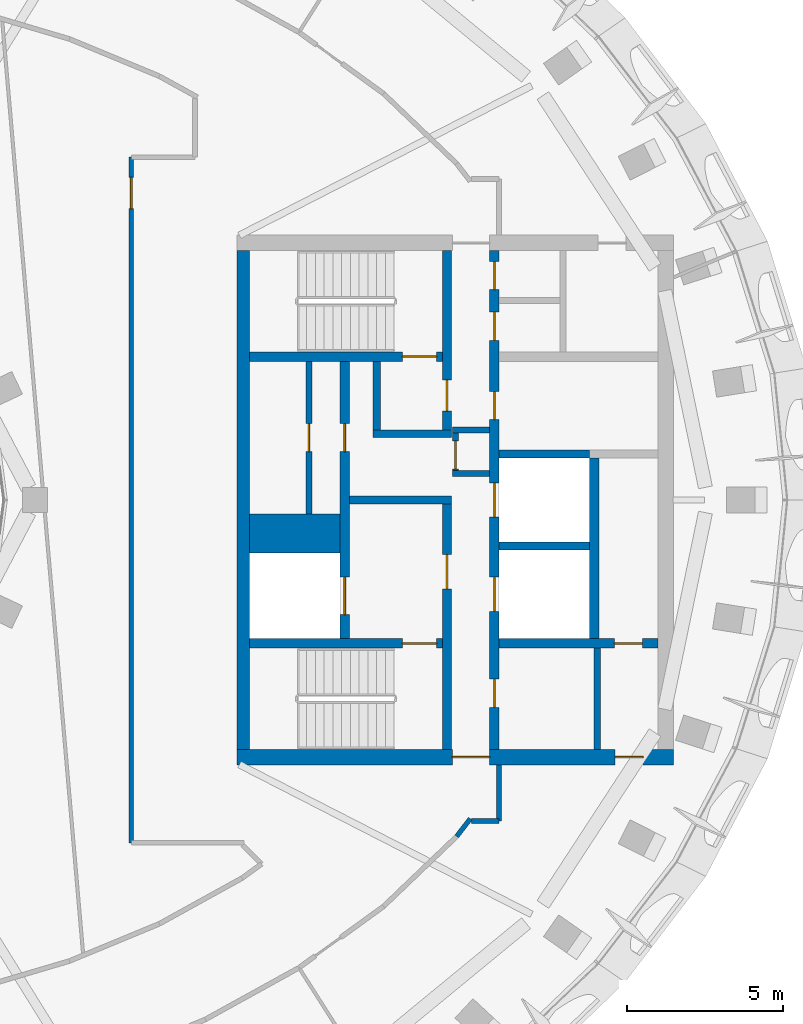
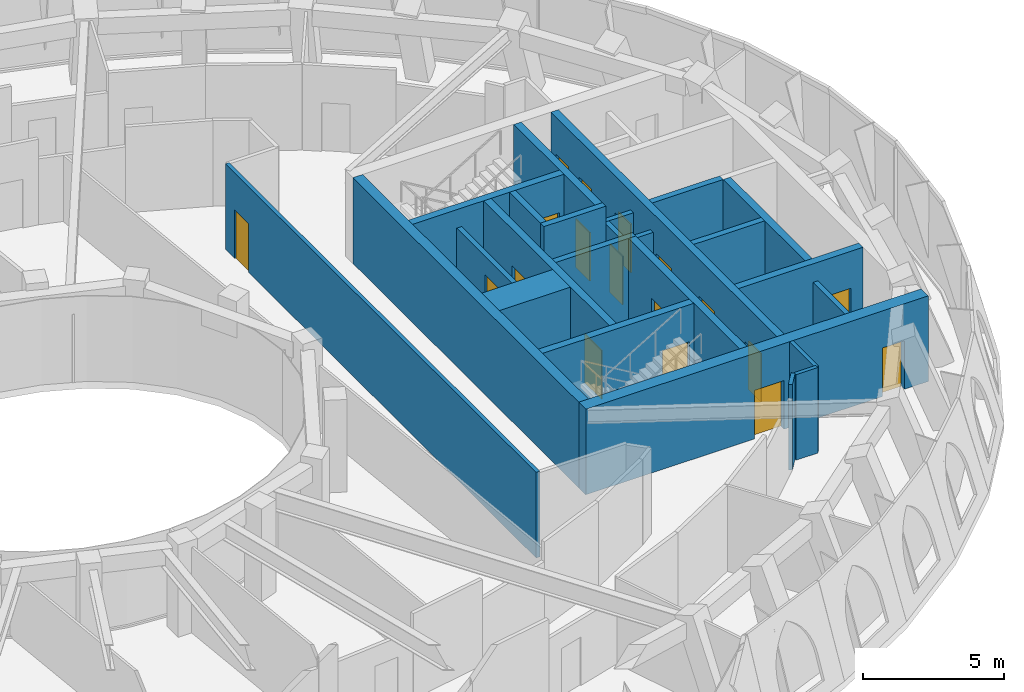
# One storey, part 5 of 14: 25 walls, 18 doors, 18 openings.
"""IFC4 building model written with IfcOpenShell, lengths in metres."""

from ifc_helpers import new_model, si_unit, direction, frame, frame_2d, origin, place, context, subcontext, project, spatial, rectangle, extrude, material, layer, layer_set, type_object, element, fill, save


model = new_model("IFC4")

# Units and contexts
model_context = context("Model", 3, precision=1e-05, world=origin(), true_north=direction((0.0, 1.0)))
body_context = subcontext(model_context, "Body", "Model", "MODEL_VIEW")
ifc_project = project(units=[si_unit("LENGTHUNIT", "METRE"), si_unit("AREAUNIT", "SQUARE_METRE"), si_unit("VOLUMEUNIT", "CUBIC_METRE"), si_unit("PLANEANGLEUNIT", "RADIAN"), si_unit("MASSUNIT", "GRAM", prefix="KILO")], contexts=[model_context])

# Site, building, storey
site_placement = place(None, origin())
site = spatial("IfcSite", under=ifc_project, at=site_placement, CompositionType="ELEMENT")
building_placement = place(site_placement, origin())
building = spatial("IfcBuilding", under=site, at=building_placement, Name="Noorbagh Ring Tower", CompositionType="ELEMENT")
storey_placement = place(building_placement, frame((0.0, 0.0, 339.0)))
storey = spatial("IfcBuildingStorey", under=building, at=storey_placement, Name="L74", CompositionType="ELEMENT", Elevation=339.0)

# Wall, opening, door
ifc_material_1 = material(Name="Gypsum board on steel studs", Category="steel")
ifc_layer_1 = layer(ifc_material_1, 0.199951171875)
ifc_layer_set_1 = layer_set([ifc_layer_1], Name="Gypsum board on steel studs")
wall_type_1 = type_object("IfcWallType", Name="CORE-PARTITION-200", PredefinedType="PARTITIONING", material=ifc_layer_set_1)
wall_1_placement = place(storey_placement, frame((18.800048828125, -0.449951171875, 0.0), z_axis=(0.0, 0.0, 1.0), x_axis=(0.0, 1.0, 0.0)))
wall_1 = element("IfcWall", 1, at=wall_1_placement, inside=storey, type_object=wall_type_1, Name="Core partition E", PredefinedType="PARTITIONING", context=body_context, shape_type="SweptSolid", body=[
    extrude(rectangle(XDim=4.89990234375, YDim=0.199951171875, at=frame_2d((2.449951171875, 0.0))), origin(), (0.0, 0.0, 1.0), 2.89990234375),
])
opening_1_placement = place(wall_1_placement, frame((2.0, 0.0, 0.0)))
opening_1 = element("IfcOpeningElement", 2, at=opening_1_placement, cuts=wall_1, Name="Opening L74-CE11", PredefinedType="OPENING", context=body_context, shape_type="SweptSolid", body=[
    extrude(rectangle(XDim=0.89990234375, YDim=2.10009765625, at=frame_2d((0.449951171875, 1.050048828125))), frame((0.0, 0.10986328125, 0.0), z_axis=(0.0, -1.0, 0.0), x_axis=(1.0, 0.0, 0.0)), (0.0, 0.0, 1.0), 0.219970703125),
])
ifc_material_2 = material(Name="Steel door leaf", Category="steel")
door_type_1 = type_object("IfcDoorType", Name="CORE-DOOR-DROOM", OperationType="SINGLE_SWING_LEFT", PredefinedType="DOOR", material=ifc_material_2)
door_1_placement = place(opening_1_placement, origin())
door_1 = element("IfcDoor", 3, at=door_1_placement, inside=storey, type_object=door_type_1, Name="Core room door L74-CE11", OperationType="SINGLE_SWING_RIGHT", OverallHeight=2.10009765625, OverallWidth=0.89990234375, PredefinedType="DOOR", context=body_context, shape_type="SweptSolid", body=[
    extrude(rectangle(XDim=0.89990234375, YDim=2.10009765625, at=frame_2d((0.449951171875, 1.050048828125))), frame((0.0, 0.02490234375, 0.0), z_axis=(0.0, -1.0, 0.0), x_axis=(1.0, 0.0, 0.0)), (0.0, 0.0, 1.0), 0.050048828125),
])
fill(opening_1, door_1)

# Walls
for number, where, z_axis, x_axis, name in (
    (4, (23.39990234375, 0.85009765625, 0.0), (0.0, 0.0, 1.0), (1.0, 0.0, 0.0), "Core partition E"),
    (5, (23.39990234375, 2.25, 0.0), (0.0, 0.0, 1.0), (1.0, 0.0, 0.0), "Core partition E"),
):
    element("IfcWall", number, at=place(storey_placement, frame(where, z_axis=z_axis, x_axis=x_axis)), inside=storey, type_object=wall_type_1, Name=name, PredefinedType="PARTITIONING", context=body_context, shape_type="SweptSolid", body=[
        extrude(rectangle(XDim=1.2001953125, YDim=0.199951171875, at=frame_2d((0.60009765625, 0.0))), origin(), (0.0, 0.0, 1.0), 2.89990234375),
    ])

# Wall, opening, door
wall_2_placement = place(storey_placement, frame((23.5, 0.75, 0.0), z_axis=(0.0, 0.0, 1.0), x_axis=(0.0, 1.0, 0.0)))
wall_2 = element("IfcWall", 6, at=wall_2_placement, inside=storey, type_object=wall_type_1, Name="Core partition E", PredefinedType="PARTITIONING", context=body_context, shape_type="SweptSolid", body=[
    extrude(rectangle(XDim=1.60009765625, YDim=0.199951171875, at=frame_2d((0.800048828125, 0.0))), origin(), (0.0, 0.0, 1.0), 2.89990234375),
])
opening_2_placement = place(wall_2_placement, frame((0.25, 0.0, 0.0)))
opening_2 = element("IfcOpeningElement", 7, at=opening_2_placement, cuts=wall_2, Name="Opening L74-CE18", PredefinedType="OPENING", context=body_context, shape_type="SweptSolid", body=[
    extrude(rectangle(XDim=0.89990234375, YDim=2.10009765625, at=frame_2d((0.449951171875, 1.050048828125))), frame((0.0, 0.10986328125, 0.0), z_axis=(0.0, -1.0, 0.0), x_axis=(1.0, 0.0, 0.0)), (0.0, 0.0, 1.0), 0.219970703125),
])
door_2_placement = place(opening_2_placement, origin())
door_2 = element("IfcDoor", 8, at=door_2_placement, inside=storey, type_object=door_type_1, Name="Core room door L74-CE18", OperationType="SINGLE_SWING_LEFT", OverallHeight=2.10009765625, OverallWidth=0.89990234375, PredefinedType="DOOR", context=body_context, shape_type="SweptSolid", body=[
    extrude(rectangle(XDim=0.89990234375, YDim=2.10009765625, at=frame_2d((0.449951171875, 1.050048828125))), frame((0.0, 0.02490234375, 0.0), z_axis=(0.0, -1.0, 0.0), x_axis=(1.0, 0.0, 0.0)), (0.0, 0.0, 1.0), 0.050048828125),
])
fill(opening_2, door_2)

# Walls
wall_3_placement = place(storey_placement, frame((28.050048828125, -8.0, 0.0), z_axis=(0.0, 0.0, 1.0), x_axis=(0.0, 1.0, 0.0)))
element("IfcWall", 9, at=wall_3_placement, inside=storey, type_object=wall_type_1, Name="Core partition E", PredefinedType="PARTITIONING", context=body_context, shape_type="SweptSolid", body=[
    extrude(rectangle(XDim=3.25, YDim=0.199951171875, at=frame_2d((1.625, 0.0))), origin(), (0.0, 0.0, 1.0), 2.89990234375),
])
ifc_material_3 = material(Name="Concrete C50/60", Category="concrete")
ifc_layer_2 = layer(ifc_material_3, 1.25)
ifc_layer_set_2 = layer_set([ifc_layer_2], Name="Concrete C50/60")
wall_type_2 = type_object("IfcWallType", Name="CORE-WALL-1250-C50-60-EI120", PredefinedType="SHEAR", material=ifc_layer_set_2)
wall_4_placement = place(storey_placement, frame((16.89990234375, -1.074951171875, 0.0), z_axis=(0.0, 0.0, 1.0), x_axis=(1.0, 0.0, 0.0)))
element("IfcWall", 10, at=wall_4_placement, inside=storey, type_object=wall_type_2, Name="Core wall E", PredefinedType="SHEAR", context=body_context, shape_type="SweptSolid", body=[
    extrude(rectangle(XDim=2.900146484375, YDim=1.25, at=frame_2d((1.4501953125, 0.0))), origin(), (0.0, 0.0, 1.0), 3.699951171875),
])
ifc_material_4 = material(Name="Concrete C50/60", Category="concrete")
ifc_layer_3 = layer(ifc_material_4, 0.25)
ifc_layer_set_3 = layer_set([ifc_layer_3], Name="Concrete C50/60")
wall_type_3 = type_object("IfcWallType", Name="CORE-WALL-250-C50-60-EI120", PredefinedType="SHEAR", material=ifc_layer_set_3)
for number, where, z_axis, x_axis, name in (
    (11, (24.89990234375, -1.47509765625, 0.0), (0.0, 0.0, 1.0), (1.0, 0.0, 0.0), "Core wall E"),
    (12, (24.89990234375, 1.47509765625, 0.0), (0.0, 0.0, 1.0), (1.0, 0.0, 0.0), "Core wall E"),
):
    element("IfcWall", number, at=place(storey_placement, frame(where, z_axis=z_axis, x_axis=x_axis)), inside=storey, type_object=wall_type_3, Name=name, PredefinedType="SHEAR", context=body_context, shape_type="SweptSolid", body=[
        extrude(rectangle(XDim=2.900146484375, YDim=0.25, at=frame_2d((1.4501953125, 0.0))), origin(), (0.0, 0.0, 1.0), 3.699951171875),
    ])
ifc_material_5 = material(Name="Concrete C50/60", Category="concrete")
ifc_layer_4 = layer(ifc_material_5, 0.25)
ifc_layer_set_4 = layer_set([ifc_layer_4], Name="Concrete C50/60")
wall_type_4 = type_object("IfcWallType", Name="CORE-WALL-250-C50-60-EI240", PredefinedType="SHEAR", material=ifc_layer_set_4)
wall_5_placement = place(storey_placement, frame((20.10009765625, 0.0, 0.0), z_axis=(0.0, 0.0, 1.0), x_axis=(1.0, 0.0, 0.0)))
element("IfcWall", 13, at=wall_5_placement, inside=storey, type_object=wall_type_4, Name="Core wall E", PredefinedType="SHEAR", context=body_context, shape_type="SweptSolid", body=[
    extrude(rectangle(XDim=3.27978515625, YDim=0.25, at=frame_2d((1.639892578125, 0.0))), origin(), (0.0, 0.0, 1.0), 3.699951171875),
])
wall_6_placement = place(storey_placement, frame((20.85009765625, 2.125, 0.0), z_axis=(0.0, 0.0, 1.0), x_axis=(1.0, 0.0, 0.0)))
element("IfcWall", 14, at=wall_6_placement, inside=storey, type_object=wall_type_4, Name="Core wall E", PredefinedType="SHEAR", context=body_context, shape_type="SweptSolid", body=[
    extrude(rectangle(XDim=2.52978515625, YDim=0.25, at=frame_2d((1.264892578125, 0.0))), origin(), (0.0, 0.0, 1.0), 3.699951171875),
])
wall_7_placement = place(storey_placement, frame((20.97509765625, 2.25, 0.0), z_axis=(0.0, 0.0, 1.0), x_axis=(0.0, 1.0, 0.0)))
element("IfcWall", 15, at=wall_7_placement, inside=storey, type_object=wall_type_4, Name="Core wall E", PredefinedType="SHEAR", context=body_context, shape_type="SweptSolid", body=[
    extrude(rectangle(XDim=2.199951171875, YDim=0.25, at=frame_2d((1.10009765625, 0.0))), origin(), (0.0, 0.0, 1.0), 3.699951171875),
])
ifc_material_6 = material(Name="Concrete C50/60", Category="concrete")
ifc_layer_5 = layer(ifc_material_6, 0.300048828125)
ifc_layer_set_5 = layer_set([ifc_layer_5], Name="Concrete C50/60")
wall_type_5 = type_object("IfcWallType", Name="CORE-WALL-300-C50-60-EI120", PredefinedType="SHEAR", material=ifc_layer_set_5)
wall_8_placement = place(storey_placement, frame((27.949951171875, -4.449951171875, 0.0), z_axis=(0.0, 0.0, 1.0), x_axis=(0.0, 1.0, 0.0)))
element("IfcWall", 16, at=wall_8_placement, inside=storey, type_object=wall_type_5, Name="Core wall E", PredefinedType="SHEAR", context=body_context, shape_type="SweptSolid", body=[
    extrude(rectangle(XDim=5.800048828125, YDim=0.300048828125, at=frame_2d((2.89990234375, 0.0))), origin(), (0.0, 0.0, 1.0), 3.699951171875),
])

# Wall, openings, doors
wall_9_placement = place(storey_placement, frame((19.949951171875, -4.449951171875, 0.0), z_axis=(0.0, 0.0, 1.0), x_axis=(0.0, 1.0, 0.0)))
wall_9 = element("IfcWall", 17, at=wall_9_placement, inside=storey, type_object=wall_type_5, Name="Core wall E", PredefinedType="SHEAR", context=body_context, shape_type="SweptSolid", body=[
    extrude(rectangle(XDim=8.89990234375, YDim=0.300048828125, at=frame_2d((4.449951171875, 0.0))), origin(), (0.0, 0.0, 1.0), 3.699951171875),
])
opening_3_placement = place(wall_9_placement, frame((0.77490234375, 0.0, 0.0)))
opening_3 = element("IfcOpeningElement", 18, at=opening_3_placement, cuts=wall_9, Name="Opening L74-CE01", PredefinedType="OPENING", context=body_context, shape_type="SweptSolid", body=[
    extrude(rectangle(XDim=1.199951171875, YDim=2.10009765625, at=frame_2d((0.60009765625, 1.050048828125))), frame((0.0, 0.16015625, 0.0), z_axis=(0.0, -1.0, 0.0), x_axis=(1.0, 0.0, 0.0)), (0.0, 0.0, 1.0), 0.320068359375),
])
opening_4_placement = place(wall_9_placement, frame((6.0, 0.0, 0.0)))
opening_4 = element("IfcOpeningElement", 19, at=opening_4_placement, cuts=wall_9, Name="Opening L74-CE10", PredefinedType="OPENING", context=body_context, shape_type="SweptSolid", body=[
    extrude(rectangle(XDim=0.89990234375, YDim=2.10009765625, at=frame_2d((0.449951171875, 1.050048828125))), frame((0.0, 0.16015625, 0.0), z_axis=(0.0, -1.0, 0.0), x_axis=(1.0, 0.0, 0.0)), (0.0, 0.0, 1.0), 0.320068359375),
])
door_3_placement = place(opening_4_placement, origin())
door_3 = element("IfcDoor", 20, at=door_3_placement, inside=storey, type_object=door_type_1, Name="Core room door L74-CE10", OperationType="SINGLE_SWING_RIGHT", OverallHeight=2.10009765625, OverallWidth=0.89990234375, PredefinedType="DOOR", context=body_context, shape_type="SweptSolid", body=[
    extrude(rectangle(XDim=0.89990234375, YDim=2.10009765625, at=frame_2d((0.449951171875, 1.050048828125))), frame((0.0, 0.02490234375, 0.0), z_axis=(0.0, -1.0, 0.0), x_axis=(1.0, 0.0, 0.0)), (0.0, 0.0, 1.0), 0.050048828125),
])
fill(opening_4, door_3)
ifc_material_7 = material(Name="Steel door leaf", Category="steel")
door_type_2 = type_object("IfcDoorType", Name="CORE-DOOR-LDW", OperationType="DOUBLE_DOOR_SLIDING", PredefinedType="DOOR", material=ifc_material_7)
door_4_placement = place(opening_3_placement, origin())
door_4 = element("IfcDoor", 21, at=door_4_placement, inside=storey, type_object=door_type_2, Name="Landing door FF2 L74-CE01", OperationType="DOUBLE_DOOR_SLIDING", OverallHeight=2.10009765625, OverallWidth=1.199951171875, PredefinedType="DOOR", context=body_context, shape_type="SweptSolid", body=[
    extrude(rectangle(XDim=1.199951171875, YDim=2.10009765625, at=frame_2d((0.60009765625, 1.050048828125))), frame((0.0, 0.02490234375, 0.0), z_axis=(0.0, -1.0, 0.0), x_axis=(1.0, 0.0, 0.0)), (0.0, 0.0, 1.0), 0.050048828125),
])
fill(opening_3, door_4)

wall_10_placement = place(storey_placement, frame((24.75, -8.0, 0.0), z_axis=(0.0, 0.0, 1.0), x_axis=(0.0, 1.0, 0.0)))
wall_10 = element("IfcWall", 22, at=wall_10_placement, inside=storey, type_object=wall_type_5, Name="Core wall E", PredefinedType="SHEAR", context=body_context, shape_type="SweptSolid", body=[
    extrude(rectangle(XDim=16.0, YDim=0.300048828125, at=frame_2d((8.0, 0.0))), origin(), (0.0, 0.0, 1.0), 3.699951171875),
])
opening_5_placement = place(wall_10_placement, frame((4.425048828125, 0.0, 0.0)))
opening_5 = element("IfcOpeningElement", 23, at=opening_5_placement, cuts=wall_10, Name="Opening L74-CE02", PredefinedType="OPENING", context=body_context, shape_type="SweptSolid", body=[
    extrude(rectangle(XDim=1.10009765625, YDim=2.10009765625, at=frame_2d((0.550048828125, 1.050048828125))), frame((0.0, 0.16015625, 0.0), z_axis=(0.0, -1.0, 0.0), x_axis=(1.0, 0.0, 0.0)), (0.0, 0.0, 1.0), 0.320068359375),
])
opening_6_placement = place(wall_10_placement, frame((7.449951171875, 0.0, 0.0)))
opening_6 = element("IfcOpeningElement", 24, at=opening_6_placement, cuts=wall_10, Name="Opening L74-CE03", PredefinedType="OPENING", context=body_context, shape_type="SweptSolid", body=[
    extrude(rectangle(XDim=1.10009765625, YDim=2.10009765625, at=frame_2d((0.550048828125, 1.050048828125))), frame((0.0, 0.16015625, 0.0), z_axis=(0.0, -1.0, 0.0), x_axis=(1.0, 0.0, 0.0)), (0.0, 0.0, 1.0), 0.320068359375),
])
opening_7_placement = place(wall_10_placement, frame((10.574951171875, 0.0, 0.0)))
opening_7 = element("IfcOpeningElement", 25, at=opening_7_placement, cuts=wall_10, Name="Opening L74-CE12", PredefinedType="OPENING", context=body_context, shape_type="SweptSolid", body=[
    extrude(rectangle(XDim=0.89990234375, YDim=2.10009765625, at=frame_2d((0.449951171875, 1.050048828125))), frame((0.0, 0.16015625, 0.0), z_axis=(0.0, -1.0, 0.0), x_axis=(1.0, 0.0, 0.0)), (0.0, 0.0, 1.0), 0.320068359375),
])
opening_8_placement = place(wall_10_placement, frame((13.125, 0.0, 0.0)))
opening_8 = element("IfcOpeningElement", 26, at=opening_8_placement, cuts=wall_10, Name="Opening L74-CE13", PredefinedType="OPENING", context=body_context, shape_type="SweptSolid", body=[
    extrude(rectangle(XDim=0.89990234375, YDim=2.10009765625, at=frame_2d((0.449951171875, 1.050048828125))), frame((0.0, 0.16015625, 0.0), z_axis=(0.0, -1.0, 0.0), x_axis=(1.0, 0.0, 0.0)), (0.0, 0.0, 1.0), 0.320068359375),
])
opening_9_placement = place(wall_10_placement, frame((14.75, 0.0, 0.0)))
opening_9 = element("IfcOpeningElement", 27, at=opening_9_placement, cuts=wall_10, Name="Opening L74-CE14", PredefinedType="OPENING", context=body_context, shape_type="SweptSolid", body=[
    extrude(rectangle(XDim=0.89990234375, YDim=2.10009765625, at=frame_2d((0.449951171875, 1.050048828125))), frame((0.0, 0.16015625, 0.0), z_axis=(0.0, -1.0, 0.0), x_axis=(1.0, 0.0, 0.0)), (0.0, 0.0, 1.0), 0.320068359375),
])
opening_10_placement = place(wall_10_placement, frame((1.35009765625, 0.0, 0.0)))
opening_10 = element("IfcOpeningElement", 28, at=opening_10_placement, cuts=wall_10, Name="Opening L74-CE16", PredefinedType="OPENING", context=body_context, shape_type="SweptSolid", body=[
    extrude(rectangle(XDim=0.89990234375, YDim=2.10009765625, at=frame_2d((0.449951171875, 1.050048828125))), frame((0.0, 0.16015625, 0.0), z_axis=(0.0, -1.0, 0.0), x_axis=(1.0, 0.0, 0.0)), (0.0, 0.0, 1.0), 0.320068359375),
])
door_5_placement = place(opening_7_placement, origin())
door_5 = element("IfcDoor", 29, at=door_5_placement, inside=storey, type_object=door_type_1, Name="Core room door L74-CE12", OperationType="SINGLE_SWING_LEFT", OverallHeight=2.10009765625, OverallWidth=0.89990234375, PredefinedType="DOOR", context=body_context, shape_type="SweptSolid", body=[
    extrude(rectangle(XDim=0.89990234375, YDim=2.10009765625, at=frame_2d((0.449951171875, 1.050048828125))), frame((0.0, 0.02490234375, 0.0), z_axis=(0.0, -1.0, 0.0), x_axis=(1.0, 0.0, 0.0)), (0.0, 0.0, 1.0), 0.050048828125),
])
fill(opening_7, door_5)
door_6_placement = place(opening_8_placement, origin())
door_6 = element("IfcDoor", 30, at=door_6_placement, inside=storey, type_object=door_type_1, Name="Core room door L74-CE13", OperationType="SINGLE_SWING_RIGHT", OverallHeight=2.10009765625, OverallWidth=0.89990234375, PredefinedType="DOOR", context=body_context, shape_type="SweptSolid", body=[
    extrude(rectangle(XDim=0.89990234375, YDim=2.10009765625, at=frame_2d((0.449951171875, 1.050048828125))), frame((0.0, 0.02490234375, 0.0), z_axis=(0.0, -1.0, 0.0), x_axis=(1.0, 0.0, 0.0)), (0.0, 0.0, 1.0), 0.050048828125),
])
fill(opening_8, door_6)
door_7_placement = place(opening_9_placement, origin())
door_7 = element("IfcDoor", 31, at=door_7_placement, inside=storey, type_object=door_type_1, Name="Core room door L74-CE14", OperationType="SINGLE_SWING_LEFT", OverallHeight=2.10009765625, OverallWidth=0.89990234375, PredefinedType="DOOR", context=body_context, shape_type="SweptSolid", body=[
    extrude(rectangle(XDim=0.89990234375, YDim=2.10009765625, at=frame_2d((0.449951171875, 1.050048828125))), frame((0.0, 0.02490234375, 0.0), z_axis=(0.0, -1.0, 0.0), x_axis=(1.0, 0.0, 0.0)), (0.0, 0.0, 1.0), 0.050048828125),
])
fill(opening_9, door_7)
door_8_placement = place(opening_10_placement, origin())
door_8 = element("IfcDoor", 32, at=door_8_placement, inside=storey, type_object=door_type_1, Name="Core room door L74-CE16", OperationType="SINGLE_SWING_RIGHT", OverallHeight=2.10009765625, OverallWidth=0.89990234375, PredefinedType="DOOR", context=body_context, shape_type="SweptSolid", body=[
    extrude(rectangle(XDim=0.89990234375, YDim=2.10009765625, at=frame_2d((0.449951171875, 1.050048828125))), frame((0.0, 0.02490234375, 0.0), z_axis=(0.0, -1.0, 0.0), x_axis=(1.0, 0.0, 0.0)), (0.0, 0.0, 1.0), 0.050048828125),
])
fill(opening_10, door_8)
ifc_material_8 = material(Name="Steel door leaf", Category="steel")
door_type_3 = type_object("IfcDoorType", Name="CORE-DOOR-LD", OperationType="DOUBLE_DOOR_SLIDING", PredefinedType="DOOR", material=ifc_material_8)
door_9_placement = place(opening_5_placement, origin())
door_9 = element("IfcDoor", 33, at=door_9_placement, inside=storey, type_object=door_type_3, Name="Landing door HR12 L74-CE02", OperationType="DOUBLE_DOOR_SLIDING", OverallHeight=2.10009765625, OverallWidth=1.10009765625, PredefinedType="DOOR", context=body_context, shape_type="SweptSolid", body=[
    extrude(rectangle(XDim=1.10009765625, YDim=2.10009765625, at=frame_2d((0.550048828125, 1.050048828125))), frame((0.0, 0.02490234375, 0.0), z_axis=(0.0, -1.0, 0.0), x_axis=(1.0, 0.0, 0.0)), (0.0, 0.0, 1.0), 0.050048828125),
])
fill(opening_5, door_9)
door_10_placement = place(opening_6_placement, origin())
door_10 = element("IfcDoor", 34, at=door_10_placement, inside=storey, type_object=door_type_3, Name="Landing door HR13 L74-CE03", OperationType="DOUBLE_DOOR_SLIDING", OverallHeight=2.10009765625, OverallWidth=1.10009765625, PredefinedType="DOOR", context=body_context, shape_type="SweptSolid", body=[
    extrude(rectangle(XDim=1.10009765625, YDim=2.10009765625, at=frame_2d((0.550048828125, 1.050048828125))), frame((0.0, 0.02490234375, 0.0), z_axis=(0.0, -1.0, 0.0), x_axis=(1.0, 0.0, 0.0)), (0.0, 0.0, 1.0), 0.050048828125),
])
fill(opening_6, door_10)

# Wall, opening, door
ifc_material_9 = material(Name="Concrete C50/60", Category="concrete")
ifc_layer_6 = layer(ifc_material_9, 0.300048828125)
ifc_layer_set_6 = layer_set([ifc_layer_6], Name="Concrete C50/60")
wall_type_6 = type_object("IfcWallType", Name="CORE-WALL-300-C50-60-EI240", PredefinedType="SHEAR", material=ifc_layer_set_6)
wall_11_placement = place(storey_placement, frame((24.89990234375, -4.60009765625, 0.0), z_axis=(0.0, 0.0, 1.0), x_axis=(1.0, 0.0, 0.0)))
wall_11 = element("IfcWall", 35, at=wall_11_placement, inside=storey, type_object=wall_type_6, Name="Core wall E", PredefinedType="SHEAR", context=body_context, shape_type="SweptSolid", body=[
    extrude(rectangle(XDim=5.10009765625, YDim=0.300048828125, at=frame_2d((2.550048828125, 0.0))), origin(), (0.0, 0.0, 1.0), 3.699951171875),
])
opening_11_placement = place(wall_11_placement, frame((3.699951171875, 0.0, 0.0)))
opening_11 = element("IfcOpeningElement", 36, at=opening_11_placement, cuts=wall_11, Name="Opening L74-CE19", PredefinedType="OPENING", context=body_context, shape_type="SweptSolid", body=[
    extrude(rectangle(XDim=0.89990234375, YDim=2.10009765625, at=frame_2d((0.449951171875, 1.050048828125))), frame((0.0, 0.16015625, 0.0), z_axis=(0.0, -1.0, 0.0), x_axis=(1.0, 0.0, 0.0)), (0.0, 0.0, 1.0), 0.320068359375),
])
door_11_placement = place(opening_11_placement, origin())
door_11 = element("IfcDoor", 37, at=door_11_placement, inside=storey, type_object=door_type_1, Name="Core room door L74-CE19", OperationType="SINGLE_SWING_LEFT", OverallHeight=2.10009765625, OverallWidth=0.89990234375, PredefinedType="DOOR", context=body_context, shape_type="SweptSolid", body=[
    extrude(rectangle(XDim=0.89990234375, YDim=2.10009765625, at=frame_2d((0.449951171875, 1.050048828125))), frame((0.0, 0.02490234375, 0.0), z_axis=(0.0, -1.0, 0.0), x_axis=(1.0, 0.0, 0.0)), (0.0, 0.0, 1.0), 0.050048828125),
])
fill(opening_11, door_11)

wall_12_placement = place(storey_placement, frame((23.22998046875, 2.25, 0.0), z_axis=(0.0, 0.0, 1.0), x_axis=(0.0, 1.0, 0.0)))
wall_12 = element("IfcWall", 38, at=wall_12_placement, inside=storey, type_object=wall_type_6, Name="Core wall E", PredefinedType="SHEAR", context=body_context, shape_type="SweptSolid", body=[
    extrude(rectangle(XDim=5.75, YDim=0.300048828125, at=frame_2d((2.875, 0.0))), origin(), (0.0, 0.0, 1.0), 3.699951171875),
])
opening_12_placement = place(wall_12_placement, frame((0.60009765625, 0.0, 0.0)))
opening_12 = element("IfcOpeningElement", 39, at=opening_12_placement, cuts=wall_12, Name="Opening L74-CE07", PredefinedType="OPENING", context=body_context, shape_type="SweptSolid", body=[
    extrude(rectangle(XDim=1.0, YDim=2.10009765625, at=frame_2d((0.5, 1.050048828125))), frame((0.0, 0.16015625, 0.0), z_axis=(0.0, -1.0, 0.0), x_axis=(1.0, 0.0, 0.0)), (0.0, 0.0, 1.0), 0.320068359375),
])
ifc_material_10 = material(Name="Steel door leaf", Category="steel")
door_type_4 = type_object("IfcDoorType", Name="CORE-DOOR-DVEST", OperationType="SINGLE_SWING_LEFT", PredefinedType="DOOR", material=ifc_material_10)
door_12_placement = place(opening_12_placement, origin())
door_12 = element("IfcDoor", 40, at=door_12_placement, inside=storey, type_object=door_type_4, Name="Stair vestibule door L74-CE07", OperationType="SINGLE_SWING_RIGHT", OverallHeight=2.10009765625, OverallWidth=1.0, PredefinedType="DOOR", context=body_context, shape_type="SweptSolid", body=[
    extrude(rectangle(XDim=1.0, YDim=2.10009765625, at=frame_2d((0.5, 1.050048828125))), frame((0.0, 0.02490234375, 0.0), z_axis=(0.0, -1.0, 0.0), x_axis=(1.0, 0.0, 0.0)), (0.0, 0.0, 1.0), 0.050048828125),
])
fill(opening_12, door_12)

wall_13_placement = place(storey_placement, frame((23.22998046875, -8.0, 0.0), z_axis=(0.0, 0.0, 1.0), x_axis=(0.0, 1.0, 0.0)))
wall_13 = element("IfcWall", 41, at=wall_13_placement, inside=storey, type_object=wall_type_6, Name="Core wall E", PredefinedType="SHEAR", context=body_context, shape_type="SweptSolid", body=[
    extrude(rectangle(XDim=7.875, YDim=0.300048828125, at=frame_2d((3.9375, 0.0))), origin(), (0.0, 0.0, 1.0), 3.699951171875),
])
opening_13_placement = place(wall_13_placement, frame((5.14990234375, 0.0, 0.0)))
opening_13 = element("IfcOpeningElement", 42, at=opening_13_placement, cuts=wall_13, Name="Opening L74-CE06", PredefinedType="OPENING", context=body_context, shape_type="SweptSolid", body=[
    extrude(rectangle(XDim=1.10009765625, YDim=2.10009765625, at=frame_2d((0.550048828125, 1.050048828125))), frame((0.0, 0.16015625, 0.0), z_axis=(0.0, -1.0, 0.0), x_axis=(1.0, 0.0, 0.0)), (0.0, 0.0, 1.0), 0.320068359375),
])
ifc_material_11 = material(Name="Steel door leaf", Category="steel")
door_type_5 = type_object("IfcDoorType", Name="CORE-DOOR-DFF", OperationType="SINGLE_SWING_LEFT", PredefinedType="DOOR", material=ifc_material_11)
door_13_placement = place(opening_13_placement, origin())
door_13 = element("IfcDoor", 43, at=door_13_placement, inside=storey, type_object=door_type_5, Name="Firefighting lobby door L74-CE06", OperationType="SINGLE_SWING_RIGHT", OverallHeight=2.10009765625, OverallWidth=1.10009765625, PredefinedType="DOOR", context=body_context, shape_type="SweptSolid", body=[
    extrude(rectangle(XDim=1.10009765625, YDim=2.10009765625, at=frame_2d((0.550048828125, 1.050048828125))), frame((0.0, 0.02490234375, 0.0), z_axis=(0.0, -1.0, 0.0), x_axis=(1.0, 0.0, 0.0)), (0.0, 0.0, 1.0), 0.050048828125),
])
fill(opening_13, door_13)

wall_14_placement = place(storey_placement, frame((16.89990234375, 4.60009765625, 0.0), z_axis=(0.0, 0.0, 1.0), x_axis=(1.0, 0.0, 0.0)))
wall_14 = element("IfcWall", 44, at=wall_14_placement, inside=storey, type_object=wall_type_6, Name="Core wall E", PredefinedType="SHEAR", context=body_context, shape_type="SweptSolid", body=[
    extrude(rectangle(XDim=6.18017578125, YDim=0.300048828125, at=frame_2d((3.090087890625, 0.0))), origin(), (0.0, 0.0, 1.0), 3.699951171875),
])
opening_14_placement = place(wall_14_placement, frame((4.89990234375, 0.0, 0.0)))
opening_14 = element("IfcOpeningElement", 45, at=opening_14_placement, cuts=wall_14, Name="Opening L74-CE04", PredefinedType="OPENING", context=body_context, shape_type="SweptSolid", body=[
    extrude(rectangle(XDim=1.10009765625, YDim=2.10009765625, at=frame_2d((0.550048828125, 1.050048828125))), frame((0.0, 0.16015625, 0.0), z_axis=(0.0, -1.0, 0.0), x_axis=(1.0, 0.0, 0.0)), (0.0, 0.0, 1.0), 0.320068359375),
])
ifc_material_12 = material(Name="Steel door leaf", Category="steel")
door_type_6 = type_object("IfcDoorType", Name="CORE-DOOR-DSTAIR", OperationType="SINGLE_SWING_LEFT", PredefinedType="DOOR", material=ifc_material_12)
door_14_placement = place(opening_14_placement, origin())
door_14 = element("IfcDoor", 46, at=door_14_placement, inside=storey, type_object=door_type_6, Name="Stair door ST3 L74-CE04", OperationType="SINGLE_SWING_LEFT", OverallHeight=2.10009765625, OverallWidth=1.10009765625, PredefinedType="DOOR", context=body_context, shape_type="SweptSolid", body=[
    extrude(rectangle(XDim=1.10009765625, YDim=2.10009765625, at=frame_2d((0.550048828125, 1.050048828125))), frame((0.0, 0.02490234375, 0.0), z_axis=(0.0, -1.0, 0.0), x_axis=(1.0, 0.0, 0.0)), (0.0, 0.0, 1.0), 0.050048828125),
])
fill(opening_14, door_14)

wall_15_placement = place(storey_placement, frame((16.89990234375, -4.60009765625, 0.0), z_axis=(0.0, 0.0, 1.0), x_axis=(1.0, 0.0, 0.0)))
wall_15 = element("IfcWall", 47, at=wall_15_placement, inside=storey, type_object=wall_type_6, Name="Core wall E", PredefinedType="SHEAR", context=body_context, shape_type="SweptSolid", body=[
    extrude(rectangle(XDim=6.18017578125, YDim=0.300048828125, at=frame_2d((3.090087890625, 0.0))), origin(), (0.0, 0.0, 1.0), 3.699951171875),
])
opening_15_placement = place(wall_15_placement, frame((4.89990234375, 0.0, 0.0)))
opening_15 = element("IfcOpeningElement", 48, at=opening_15_placement, cuts=wall_15, Name="Opening L74-CE05", PredefinedType="OPENING", context=body_context, shape_type="SweptSolid", body=[
    extrude(rectangle(XDim=1.10009765625, YDim=2.10009765625, at=frame_2d((0.550048828125, 1.050048828125))), frame((0.0, 0.16015625, 0.0), z_axis=(0.0, -1.0, 0.0), x_axis=(1.0, 0.0, 0.0)), (0.0, 0.0, 1.0), 0.320068359375),
])
door_15_placement = place(opening_15_placement, origin())
door_15 = element("IfcDoor", 49, at=door_15_placement, inside=storey, type_object=door_type_6, Name="Stair door ST4 L74-CE05", OperationType="SINGLE_SWING_RIGHT", OverallHeight=2.10009765625, OverallWidth=1.10009765625, PredefinedType="DOOR", context=body_context, shape_type="SweptSolid", body=[
    extrude(rectangle(XDim=1.10009765625, YDim=2.10009765625, at=frame_2d((0.550048828125, 1.050048828125))), frame((0.0, 0.02490234375, 0.0), z_axis=(0.0, -1.0, 0.0), x_axis=(1.0, 0.0, 0.0)), (0.0, 0.0, 1.0), 0.050048828125),
])
fill(opening_15, door_15)

# Wall
ifc_material_13 = material(Name="Concrete C50/60", Category="concrete")
ifc_layer_7 = layer(ifc_material_13, 0.39990234375)
ifc_layer_set_7 = layer_set([ifc_layer_7], Name="Concrete C50/60")
wall_type_7 = type_object("IfcWallType", Name="CORE-WALL-400-C50-60-EI240", PredefinedType="SHEAR", material=ifc_layer_set_7)
wall_16_placement = place(storey_placement, frame((16.699951171875, -8.0, 0.0), z_axis=(0.0, 0.0, 1.0), x_axis=(0.0, 1.0, 0.0)))
element("IfcWall", 50, at=wall_16_placement, inside=storey, type_object=wall_type_7, Name="Core wall E", PredefinedType="SHEAR", context=body_context, shape_type="SweptSolid", body=[
    extrude(rectangle(XDim=16.0, YDim=0.39990234375, at=frame_2d((8.0, 0.0))), origin(), (0.0, 0.0, 1.0), 3.699951171875),
])

# Wall, openings, doors
ifc_material_14 = material(Name="Concrete C50/60", Category="concrete")
ifc_layer_8 = layer(ifc_material_14, 0.5)
ifc_layer_set_8 = layer_set([ifc_layer_8], Name="Concrete C50/60")
wall_type_8 = type_object("IfcWallType", Name="CORE-WALL-500-C50-60-EI240", PredefinedType="SHEAR", material=ifc_layer_set_8)
wall_17_placement = place(storey_placement, frame((16.5, -8.25, 0.0), z_axis=(0.0, 0.0, 1.0), x_axis=(1.0, 0.0, 0.0)))
wall_17 = element("IfcWall", 51, at=wall_17_placement, inside=storey, type_object=wall_type_8, Name="Core wall E", PredefinedType="SHEAR", context=body_context, shape_type="SweptSolid", body=[
    extrude(rectangle(XDim=14.0, YDim=0.5, at=frame_2d((7.0, 0.0))), origin(), (0.0, 0.0, 1.0), 3.699951171875),
])
opening_16_placement = place(wall_17_placement, frame((6.89990234375, 0.0, 0.0)))
opening_16 = element("IfcOpeningElement", 52, at=opening_16_placement, cuts=wall_17, Name="Opening L74-CE09", PredefinedType="OPENING", context=body_context, shape_type="SweptSolid", body=[
    extrude(rectangle(XDim=1.199951171875, YDim=2.10009765625, at=frame_2d((0.60009765625, 1.050048828125))), frame((0.0, 0.260009765625, 0.0), z_axis=(0.0, -1.0, 0.0), x_axis=(1.0, 0.0, 0.0)), (0.0, 0.0, 1.0), 0.52001953125),
])
opening_17_placement = place(wall_17_placement, frame((12.125, 0.0, 0.0)))
opening_17 = element("IfcOpeningElement", 53, at=opening_17_placement, cuts=wall_17, Name="Opening L74-CE17", PredefinedType="OPENING", context=body_context, shape_type="SweptSolid", body=[
    extrude(rectangle(XDim=0.89990234375, YDim=2.10009765625, at=frame_2d((0.449951171875, 1.050048828125))), frame((0.0, 0.260009765625, 0.0), z_axis=(0.0, -1.0, 0.0), x_axis=(1.0, 0.0, 0.0)), (0.0, 0.0, 1.0), 0.52001953125),
])
door_16_placement = place(opening_17_placement, origin())
door_16 = element("IfcDoor", 54, at=door_16_placement, inside=storey, type_object=door_type_1, Name="Core room door L74-CE17", OperationType="SINGLE_SWING_RIGHT", OverallHeight=2.10009765625, OverallWidth=0.89990234375, PredefinedType="DOOR", context=body_context, shape_type="SweptSolid", body=[
    extrude(rectangle(XDim=0.89990234375, YDim=2.10009765625, at=frame_2d((0.449951171875, 1.050048828125))), frame((0.0, 0.02490234375, 0.0), z_axis=(0.0, -1.0, 0.0), x_axis=(1.0, 0.0, 0.0)), (0.0, 0.0, 1.0), 0.050048828125),
])
fill(opening_17, door_16)
ifc_material_15 = material(Name="Steel door leaf", Category="steel")
door_type_7 = type_object("IfcDoorType", Name="CORE-DOOR-PORT", OperationType="DOUBLE_DOOR_DOUBLE_SWING", PredefinedType="DOOR", material=ifc_material_15)
door_17_placement = place(opening_16_placement, origin())
door_17 = element("IfcDoor", 55, at=door_17_placement, inside=storey, type_object=door_type_7, Name="Core entrance door L74-CE09", OperationType="DOUBLE_DOOR_DOUBLE_SWING", OverallHeight=2.10009765625, OverallWidth=1.199951171875, PredefinedType="DOOR", context=body_context, shape_type="SweptSolid", body=[
    extrude(rectangle(XDim=1.199951171875, YDim=2.10009765625, at=frame_2d((0.60009765625, 1.050048828125))), frame((0.0, 0.02490234375, 0.0), z_axis=(0.0, -1.0, 0.0), x_axis=(1.0, 0.0, 0.0)), (0.0, 0.0, 1.0), 0.050048828125),
])
fill(opening_16, door_17)

# Wall, opening, door
ifc_material_16 = material(Name="Gypsum board on steel studs", Category="steel")
ifc_layer_9 = layer(ifc_material_16, 0.14990234375)
ifc_layer_set_9 = layer_set([ifc_layer_9], Name="Gypsum board on steel studs")
wall_type_9 = type_object("IfcWallType", Name="CORRIDOR PARTITION 150 EI 30", PredefinedType="PARTITIONING", material=ifc_layer_set_9)
wall_18_placement = place(storey_placement, frame((13.10009765625, -11.0, 0.0), z_axis=(0.0, 0.0, 1.0), x_axis=(0.0, 1.0, 0.0)))
wall_18 = element("IfcWall", 56, at=wall_18_placement, inside=storey, type_object=wall_type_9, Name="L74/wall/P97", PredefinedType="PARTITIONING", context=body_context, shape_type="SweptSolid", body=[
    extrude(rectangle(XDim=22.0, YDim=0.14990234375, at=frame_2d((11.0, 0.0))), origin(), (0.0, 0.0, 1.0), 3.699951171875),
])
opening_18_placement = place(wall_18_placement, frame((20.35009765625, 0.0, 0.0)))
opening_18 = element("IfcOpeningElement", 57, at=opening_18_placement, cuts=wall_18, Name="Opening D1", PredefinedType="OPENING", context=body_context, shape_type="SweptSolid", body=[
    extrude(rectangle(XDim=1.0, YDim=2.10009765625, at=frame_2d((0.5, 1.050048828125))), frame((0.0, 0.0849609375, 0.0), z_axis=(0.0, -1.0, 0.0), x_axis=(1.0, 0.0, 0.0)), (0.0, 0.0, 1.0), 0.169921875),
])
ifc_material_17 = material(Name="Timber, painted", Category="wood")
door_type_8 = type_object("IfcDoorType", Name="DOOR 1000 X 2100 FD30", OperationType="SINGLE_SWING_LEFT", PredefinedType="DOOR", material=ifc_material_17)
door_18_placement = place(opening_18_placement, origin())
door_18 = element("IfcDoor", 58, at=door_18_placement, inside=storey, type_object=door_type_8, Name="L74-D23", OperationType="SINGLE_SWING_LEFT", OverallHeight=2.10009765625, OverallWidth=1.0, PredefinedType="DOOR", context=body_context, shape_type="SweptSolid", body=[
    extrude(rectangle(XDim=1.0, YDim=2.10009765625, at=frame_2d((0.5, 1.050048828125))), frame((0.0, 0.02490234375, 0.0), z_axis=(0.0, -1.0, 0.0), x_axis=(1.0, 0.0, 0.0)), (0.0, 0.0, 1.0), 0.050048828125),
])
fill(opening_18, door_18)

# Walls
wall_19_placement = place(storey_placement, frame((23.541015625, -10.7919921875, 0.0), z_axis=(0.0, 0.0, 1.0), x_axis=(0.610534604142, 0.791989581462, 0.0)))
element("IfcWall", 59, at=wall_19_placement, inside=storey, type_object=wall_type_9, Name="L74/wall/P113", PredefinedType="PARTITIONING", context=body_context, shape_type="SweptSolid", body=[
    extrude(rectangle(XDim=0.7158203125, YDim=0.14990234375, at=frame_2d((0.35791015625, 0.0))), origin(), (0.0, 0.0, 1.0), 3.699951171875),
])
wall_20_placement = place(storey_placement, frame((24.014892578125, -10.300048828125, 0.0), z_axis=(0.0, 0.0, 1.0), x_axis=(1.0, 0.0, 0.0)))
element("IfcWall", 60, at=wall_20_placement, inside=storey, type_object=wall_type_9, Name="L74/wall/P115", PredefinedType="PARTITIONING", context=body_context, shape_type="SweptSolid", body=[
    extrude(rectangle(XDim=0.885009765625, YDim=0.14990234375, at=frame_2d((0.4423828125, 0.0))), origin(), (0.0, 0.0, 1.0), 3.699951171875),
])
wall_21_placement = place(storey_placement, frame((24.89990234375, -10.300048828125, 0.0), z_axis=(0.0, 0.0, 1.0), x_axis=(0.0, 1.0, 0.0)))
element("IfcWall", 61, at=wall_21_placement, inside=storey, type_object=wall_type_9, Name="L74/wall/P117", PredefinedType="PARTITIONING", context=body_context, shape_type="SweptSolid", body=[
    extrude(rectangle(XDim=1.800048828125, YDim=0.14990234375, at=frame_2d((0.89990234375, 0.0))), origin(), (0.0, 0.0, 1.0), 3.699951171875),
])

save(model, "model.ifc")
